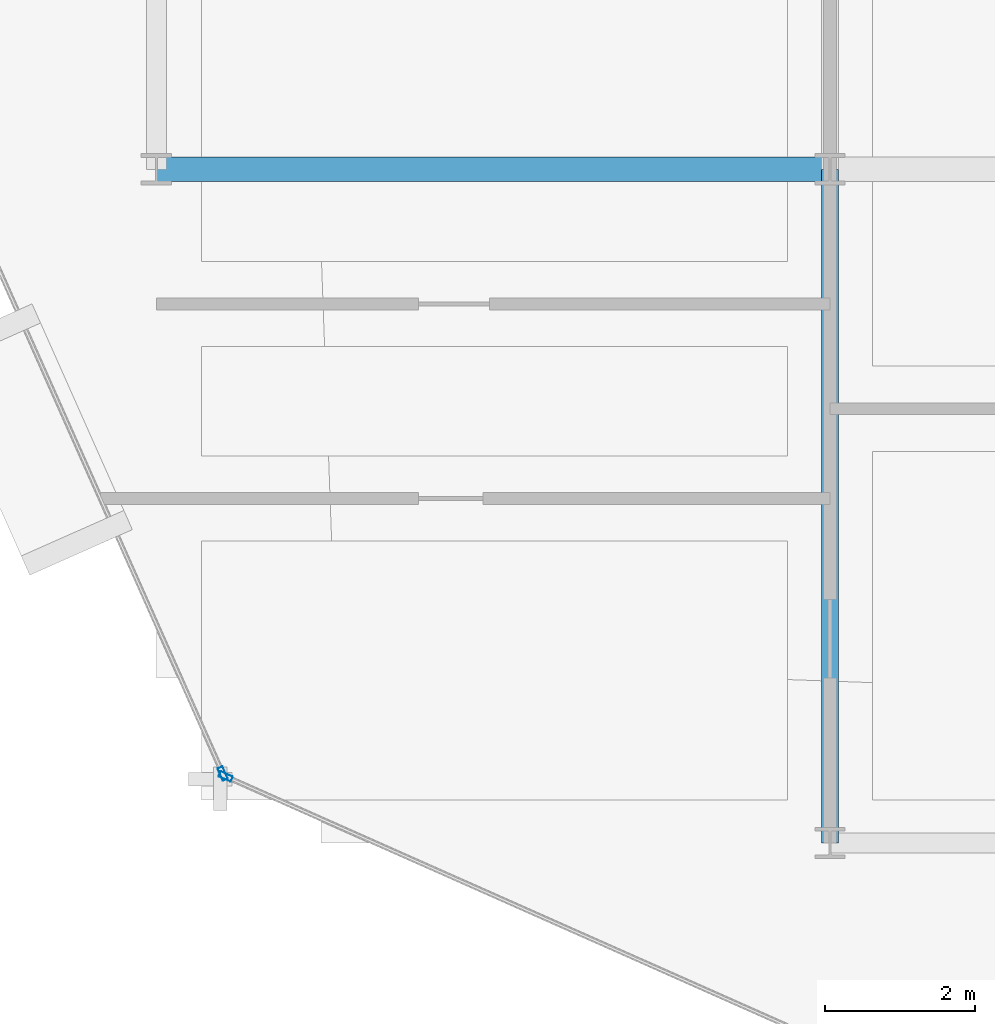
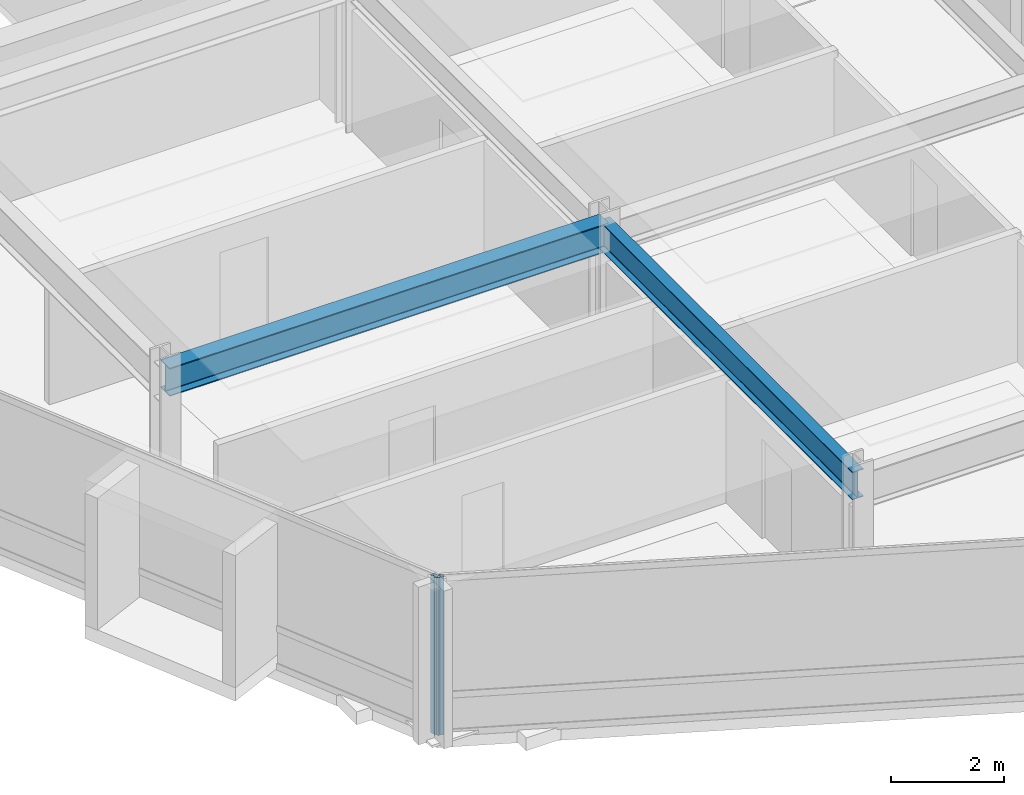
# One storey, part 2 of 27: 2 beams, 2 members, 2 elements without a shape of their own.
"""IFC4 building model written with IfcOpenShell, lengths in metres."""

import ifcopenshell
import ifcopenshell.guid

model = None  # the IFC model being written
_history = None  # IfcOwnerHistory: only IFC2X3 demands one
_inside = {}  # id of a spatial element -> (the spatial element, [elements in it])
_under = {}  # id of a project, library or spatial element -> (it, [spatial elements below it])
_declared = {}  # id of a project -> (the project, [libraries it declares])
_typed = {}  # id of a type object -> (the type object, [elements of that type])
_made_of = {}  # id of a material, layer set ... -> (it, [elements and type objects made of it])


def new_model(schema):
    """Start an empty IFC model of exactly this schema.

    Asked for "IFC4X3", IfcOpenShell would pick the latest addendum, in which some entities
    have other attributes; the version numbers below select the first issue.
    IFC2X3 requires an IfcOwnerHistory on every rooted entity: one is made here for all.
    """
    global model, _history
    if schema == "IFC4X3":
        model = ifcopenshell.file(schema_version=(4, 3, 0, 0))
    else:
        model = ifcopenshell.file(schema=schema)
    _inside.clear()
    _under.clear()
    _declared.clear()
    _typed.clear()
    _made_of.clear()
    _history = None
    if model.schema == "IFC2X3":
        org = make("IfcOrganization", Name="unknown")
        user = make(
            "IfcPersonAndOrganization",
            ThePerson=make("IfcPerson", FamilyName="unknown"),
            TheOrganization=org,
        )
        app = make(
            "IfcApplication",
            ApplicationDeveloper=org,
            Version="unknown",
            ApplicationFullName="unknown",
            ApplicationIdentifier="unknown",
        )
        _history = make(
            "IfcOwnerHistory",
            OwningUser=user,
            OwningApplication=app,
            ChangeAction="ADDED",
            CreationDate=0,
        )
    return model


def make(cls, **values):
    """One entity of the class cls with the attributes given. An attribute that is None is left unset."""
    return model.create_entity(
        cls, **{name: value for name, value in values.items() if value is not None}
    )


def rooted(cls, **values):
    """An entity with a GlobalId (a new one), such as an element, a storey or a relation."""
    return make(cls, GlobalId=ifcopenshell.guid.new(), OwnerHistory=_history, **values)


def si_unit(unit_type, name, prefix=None):
    """IfcSIUnit, for example si_unit("LENGTHUNIT", "METRE", prefix="MILLI")."""
    return make("IfcSIUnit", UnitType=unit_type, Prefix=prefix, Name=name)


def assignment(units):
    """IfcUnitAssignment: the units of a project."""
    return None if units is None else make("IfcUnitAssignment", Units=units)


def point(xyz):
    """IfcCartesianPoint."""
    return None if xyz is None else make("IfcCartesianPoint", Coordinates=xyz)


def direction(xyz):
    """IfcDirection."""
    return None if xyz is None else make("IfcDirection", DirectionRatios=xyz)


def frame(location, z_axis=None, x_axis=None):
    """IfcAxis2Placement3D, a coordinate frame: its origin and axes. An axis left out is left unset."""
    return make(
        "IfcAxis2Placement3D",
        Location=point(location),
        Axis=direction(z_axis),
        RefDirection=direction(x_axis),
    )


def frame_2d(location, x_axis=None):
    """IfcAxis2Placement2D, a coordinate frame in the plane: its origin and x axis."""
    return make(
        "IfcAxis2Placement2D", Location=point(location), RefDirection=direction(x_axis)
    )


def origin():
    """The frame at (0, 0, 0) with its axes left unset."""
    return frame((0.0, 0.0, 0.0))


def origin_2d():
    """The frame at (0, 0) in the plane with its x axis left unset."""
    return frame_2d((0.0, 0.0))


def place(relative_to, where):
    """IfcLocalPlacement: puts the frame where relative to a parent placement (None: the world)."""
    return make(
        "IfcLocalPlacement", PlacementRelTo=relative_to, RelativePlacement=where
    )


def context(
    kind, dimensions, precision=None, world=None, true_north=None, identifier=None
):
    """IfcGeometricRepresentationContext, for example the 3D "Model" context."""
    return make(
        "IfcGeometricRepresentationContext",
        ContextIdentifier=identifier,
        ContextType=kind,
        CoordinateSpaceDimension=dimensions,
        Precision=precision,
        WorldCoordinateSystem=world,
        TrueNorth=true_north,
    )


def subcontext(parent, identifier, kind, view, scale=None):
    """IfcGeometricRepresentationSubContext, for example "Body" below "Model"."""
    return make(
        "IfcGeometricRepresentationSubContext",
        ContextIdentifier=identifier,
        ContextType=kind,
        ParentContext=parent,
        TargetScale=scale,
        TargetView=view,
    )


def project(units=None, contexts=None):
    """IfcProject with its units and contexts."""
    return rooted(
        "IfcProject",
        Name="project",
        RepresentationContexts=contexts,
        UnitsInContext=assignment(units),
    )


def spatial(cls, under=None, at=None, **own):
    """A site, building, storey or space (cls), placed at a placement, below another one or the project."""
    s = rooted(cls, ObjectPlacement=at, **own)
    if under is not None:
        _under.setdefault(under.id(), (under, []))[1].append(s)
    return s


def profile(cls, at=None, kind="AREA", **sizes):
    """A parametric profile (cls). Its sizes go by their IFC names, for example OverallWidth=200.0."""
    return make(cls, ProfileType=kind, Position=at, **sizes)


def hollow_rectangle(**sizes):
    """IfcRectangleHollowProfileDef."""
    return profile("IfcRectangleHollowProfileDef", **sizes)


def i_section(**sizes):
    """IfcIShapeProfileDef."""
    return profile("IfcIShapeProfileDef", **sizes)


def extrude(swept, where, along, depth):
    """IfcExtrudedAreaSolid: the profile swept, set in the frame where, extruded along a direction by depth."""
    return make(
        "IfcExtrudedAreaSolid",
        SweptArea=swept,
        Position=where,
        ExtrudedDirection=direction(along),
        Depth=depth,
    )


def shape(context_of_items, identifier, shape_type, items):
    """IfcShapeRepresentation: the items that make up one representation, for example the "Body"."""
    return make(
        "IfcShapeRepresentation",
        ContextOfItems=context_of_items,
        RepresentationIdentifier=identifier,
        RepresentationType=shape_type,
        Items=items,
    )


def material(Name=None, Category=None):
    """IfcMaterial."""
    return make("IfcMaterial", Name=Name, Category=Category)


def layer(
    of_material, thickness, ventilated=None, Name=None, Category=None, Priority=None
):
    """IfcMaterialLayer: one layer of a wall or slab, of a material (None: an air gap)."""
    return make(
        "IfcMaterialLayer",
        Material=of_material,
        LayerThickness=thickness,
        IsVentilated=ventilated,
        Name=Name,
        Category=Category,
        Priority=Priority,
    )


def layer_set(layers, Name=None):
    """IfcMaterialLayerSet."""
    return make("IfcMaterialLayerSet", MaterialLayers=layers, LayerSetName=Name)


def material_profile(
    of_material, cross_section, Name=None, Category=None, Priority=None
):
    """IfcMaterialProfile: a cross section and its material."""
    return make(
        "IfcMaterialProfile",
        Name=Name,
        Material=of_material,
        Profile=cross_section,
        Priority=Priority,
        Category=Category,
    )


def profile_set(profiles, Name=None, composite=None):
    """IfcMaterialProfileSet."""
    return make(
        "IfcMaterialProfileSet",
        Name=Name,
        MaterialProfiles=profiles,
        CompositeProfile=composite,
    )


def made_of(thing, what):
    """Note that an element or type object is made of a material, layer set ...; save() writes the relation."""
    if what is not None:
        _made_of.setdefault(what.id(), (what, []))[1].append(thing)
    return thing


def type_object(cls, material=None, **own):
    """A type object (cls), such as IfcWallType, which elements share."""
    return made_of(rooted(cls, **own), material)


def element(
    cls,
    number,
    at=None,
    inside=None,
    cuts=None,
    type_object=None,
    material=None,
    context=None,
    identifier="Body",
    shape_type=None,
    held_by="IfcProductDefinitionShape",
    body=None,
    shapes=None,
    **own,
):
    """One element of the class cls, such as IfcWall. Its Tag is "e" and its number.

    at: its placement. inside: the storey or other place that contains it. cuts: it is an
    opening in that element (IfcRelVoidsElement). A single representation is given by context,
    identifier, shape_type and body (its items); several are given by shapes. held_by: the class
    of the entity that holds the representations. save() writes the other relations.
    """
    e = rooted(cls, Tag="e%d" % number, ObjectPlacement=at, **own)
    if body is not None:
        shapes = [shape(context, identifier, shape_type, body)]
    if shapes is not None:
        e.Representation = make(held_by, Representations=shapes)
    if inside is not None:
        _inside.setdefault(inside.id(), (inside, []))[1].append(e)
    if cuts is not None:
        rooted(
            "IfcRelVoidsElement", RelatingBuildingElement=cuts, RelatedOpeningElement=e
        )
    if type_object is not None:
        _typed.setdefault(type_object.id(), (type_object, []))[1].append(e)
    return made_of(e, material)


def aggregate(whole, parts):
    """IfcRelAggregates: a whole, such as a stair, and the parts it consists of."""
    return rooted("IfcRelAggregates", RelatingObject=whole, RelatedObjects=parts)


def save(model, path):
    """Write the relations noted so far, then the file.

    IfcRelAggregates (storeys below a building ...), IfcRelContainedInSpatialStructure (elements
    in a storey), IfcRelDefinesByType, IfcRelAssociatesMaterial and IfcRelDeclares: one each for
    every whole, place, type object, material and project.
    """
    for whole, parts in _under.values():
        aggregate(whole, parts)
    for where, things in _inside.values():
        rooted(
            "IfcRelContainedInSpatialStructure",
            RelatedElements=things,
            RelatingStructure=where,
        )
    for kind, things in _typed.values():
        rooted("IfcRelDefinesByType", RelatedObjects=things, RelatingType=kind)
    for what, things in _made_of.values():
        rooted("IfcRelAssociatesMaterial", RelatedObjects=things, RelatingMaterial=what)
    for by, libraries in _declared.values():
        rooted("IfcRelDeclares", RelatingContext=by, RelatedDefinitions=libraries)
    model.write(path)


model = new_model("IFC4")

# Units and contexts
model_context = context("Model", 3, precision=1e-05, world=origin(), true_north=direction((0.0, 1.0)))
body_context = subcontext(model_context, "Body", "Model", "MODEL_VIEW")
ifc_project = project(units=[si_unit("LENGTHUNIT", "METRE"), si_unit("AREAUNIT", "SQUARE_METRE"), si_unit("VOLUMEUNIT", "CUBIC_METRE"), si_unit("PLANEANGLEUNIT", "RADIAN"), si_unit("MASSUNIT", "GRAM", prefix="KILO")], contexts=[model_context])

# Site, building, storey
site_placement = place(None, origin())
site = spatial("IfcSite", under=ifc_project, at=site_placement, CompositionType="ELEMENT")
building_placement = place(site_placement, origin())
building = spatial("IfcBuilding", under=site, at=building_placement, Name="Solvaryn Broadcast Tower", CompositionType="ELEMENT")
storey_placement = place(building_placement, frame((0.0, 0.0, 174.199951171875)))
storey = spatial("IfcBuildingStorey", under=building, at=storey_placement, Name="L43", CompositionType="ELEMENT", Elevation=174.199951171875)

# Beams
ifc_material_1 = material(Name="Steel ASTM A992 Grade 50", Category="steel")
ifc_material_profile_1 = material_profile(ifc_material_1, i_section(OverallWidth=0.323974609375, OverallDepth=0.611083984375, WebThickness=0.0126953125, FlangeThickness=0.01904296875, FilletRadius=0.014892578125, at=origin_2d()))
ifc_profile_set_1 = profile_set([ifc_material_profile_1], Name="Steel ASTM A992 Grade 50")
beam_type_1 = type_object("IfcBeamType", Name="BM-B1-W24X104", PredefinedType="BEAM", material=ifc_profile_set_1)
beam_1_placement = place(storey_placement, frame((9.0, 18.0, 3.114501953125), z_axis=(1.0, 0.0, 0.0), x_axis=(0.0, 1.0, 0.0)))
element("IfcBeam", 1, at=beam_1_placement, inside=storey, type_object=beam_type_1, Name="L43 Primary Beam X (9-18 @ Y=18)", PredefinedType="BEAM", context=body_context, shape_type="SweptSolid", body=[
    extrude(i_section(OverallWidth=0.323974609375, OverallDepth=0.611083984375, WebThickness=0.0126953125, FlangeThickness=0.01904296875, FilletRadius=0.014892578125, at=origin_2d()), origin(), (0.0, 0.0, 1.0), 9.0),
])
ifc_material_2 = material(Name="Steel ASTM A992 Grade 50", Category="steel")
ifc_material_profile_2 = material_profile(ifc_material_2, i_section(OverallWidth=0.22802734375, OverallDepth=0.60791015625, WebThickness=0.01123046875, FlangeThickness=0.017333984375, FilletRadius=0.014892578125, at=origin_2d()))
ifc_profile_set_2 = profile_set([ifc_material_profile_2], Name="Steel ASTM A992 Grade 50")
beam_type_2 = type_object("IfcBeamType", Name="BM-B2-W24X76", PredefinedType="BEAM", material=ifc_profile_set_2)
beam_2_placement = place(storey_placement, frame((18.0, 9.0, 3.115966796875), z_axis=(0.0, 1.0, 0.0), x_axis=(-1.0, 0.0, 0.0)))
element("IfcBeam", 2, at=beam_2_placement, inside=storey, type_object=beam_type_2, Name="L43 Primary Beam Y (9-18 @ X=18)", PredefinedType="BEAM", context=body_context, shape_type="SweptSolid", body=[
    extrude(i_section(OverallWidth=0.22802734375, OverallDepth=0.60791015625, WebThickness=0.01123046875, FlangeThickness=0.017333984375, FilletRadius=0.014892578125, at=origin_2d()), origin(), (0.0, 0.0, 1.0), 9.0),
])

# Curtain wall, member
ifc_material_3 = material(Name="Aluminium and Terracotta Unitised Curtain Wall", Category="masonry")
ifc_layer_1 = layer(ifc_material_3, 0.239990234375)
ifc_layer_set_1 = layer_set([ifc_layer_1], Name="CW-SYS3-BAYBOX")
curtain_wall_type_1 = type_object("IfcCurtainWallType", Name="CW-SYS3-BAYBOX", PredefinedType="NOTDEFINED", material=ifc_layer_set_1)
curtain_wall_1_placement = place(storey_placement, origin())
curtain_wall_1 = element("IfcCurtainWall", 3, at=curtain_wall_1_placement, inside=storey, type_object=curtain_wall_type_1, Name="L43 Curtain Wall DR2", PredefinedType="NOTDEFINED")
ifc_material_4 = material(Name="Anodised Aluminium 6063-T6", Category="aluminium")
ifc_material_profile_3 = material_profile(ifc_material_4, hollow_rectangle(XDim=0.074951171875, YDim=0.179931640625, WallThickness=0.00390625, InnerFilletRadius=0.00390625, OuterFilletRadius=0.008056640625, at=origin_2d()))
ifc_profile_set_3 = profile_set([ifc_material_profile_3], Name="Anodised Aluminium 6063-T6")
member_type = type_object("IfcMemberType", Name="CW-MUL-180", PredefinedType="MULLION", material=ifc_profile_set_3)
member_1_placement = place(storey_placement, frame((9.8857421875, 9.925537109375, 0.0), z_axis=(0.0, 0.0, 1.0), x_axis=(0.913916902365, 0.405901337237, 0.0)))
member_1 = element("IfcMember", 4, at=member_1_placement, type_object=member_type, Name="CWS3 mullion 2", PredefinedType="MULLION", context=body_context, shape_type="SweptSolid", body=[
    extrude(hollow_rectangle(XDim=0.074951171875, YDim=0.179931640625, WallThickness=0.00390625, InnerFilletRadius=0.00390625, OuterFilletRadius=0.008056640625, at=origin_2d()), origin(), (0.0, 0.0, 1.0), 3.420166015625),
])
aggregate(curtain_wall_1, [member_1])

ifc_material_5 = material(Name="Aluminium and Terracotta Unitised Curtain Wall", Category="masonry")
ifc_layer_2 = layer(ifc_material_5, 0.199951171875)
ifc_layer_set_2 = layer_set([ifc_layer_2], Name="CW-SYS2-LOWMID")
curtain_wall_type_2 = type_object("IfcCurtainWallType", Name="CW-SYS2-LOWMID", PredefinedType="NOTDEFINED", material=ifc_layer_set_2)
curtain_wall_2_placement = place(storey_placement, origin())
curtain_wall_2 = element("IfcCurtainWall", 5, at=curtain_wall_2_placement, inside=storey, type_object=curtain_wall_type_2, Name="L43 Curtain Wall DR3", PredefinedType="NOTDEFINED")
member_2_placement = place(storey_placement, frame((9.925537109375, 9.8857421875, 0.0), z_axis=(0.0, 0.0, 1.0), x_axis=(0.405901337237, 0.913916902365, 0.0)))
member_2 = element("IfcMember", 6, at=member_2_placement, type_object=member_type, Name="CWS2 mullion 1", PredefinedType="MULLION", context=body_context, shape_type="SweptSolid", body=[
    extrude(hollow_rectangle(XDim=0.074951171875, YDim=0.179931640625, WallThickness=0.00390625, InnerFilletRadius=0.00390625, OuterFilletRadius=0.008056640625, at=origin_2d()), origin(), (0.0, 0.0, 1.0), 3.420166015625),
])
aggregate(curtain_wall_2, [member_2])

save(model, "model.ifc")
